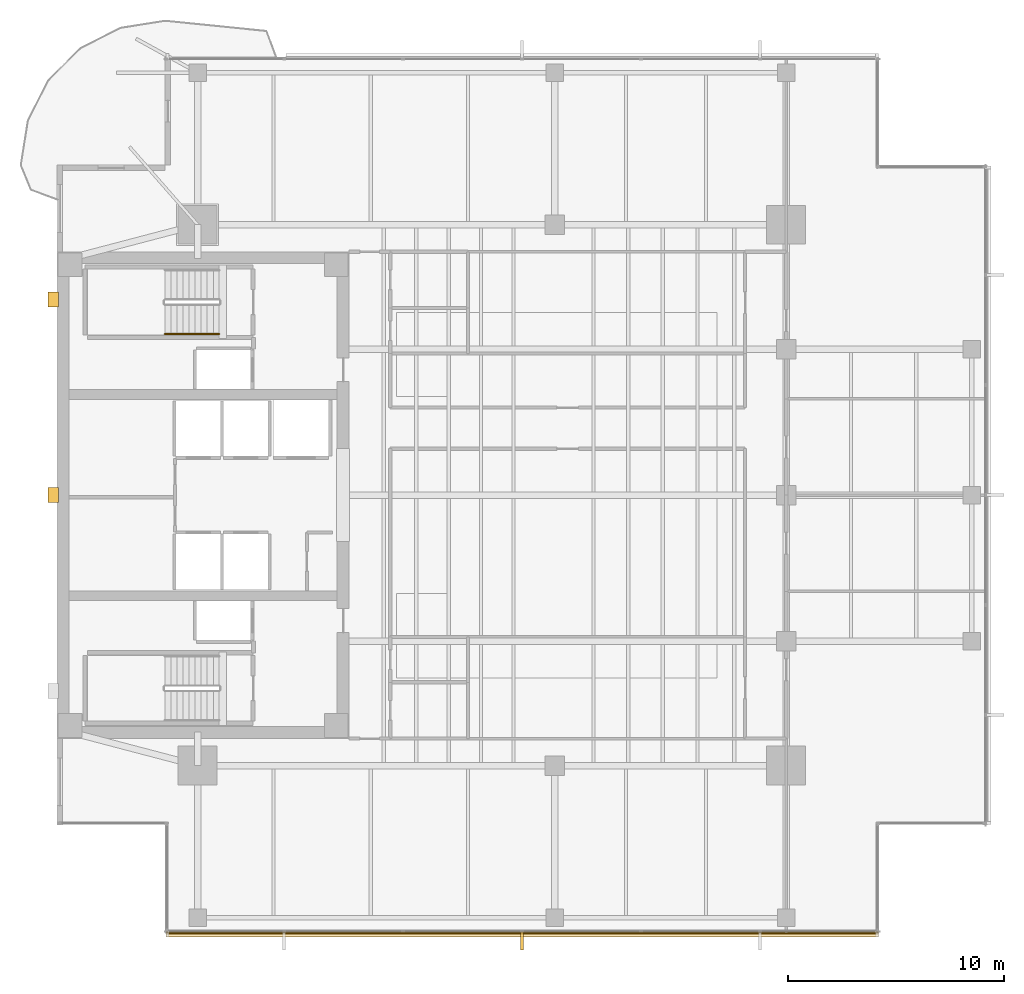
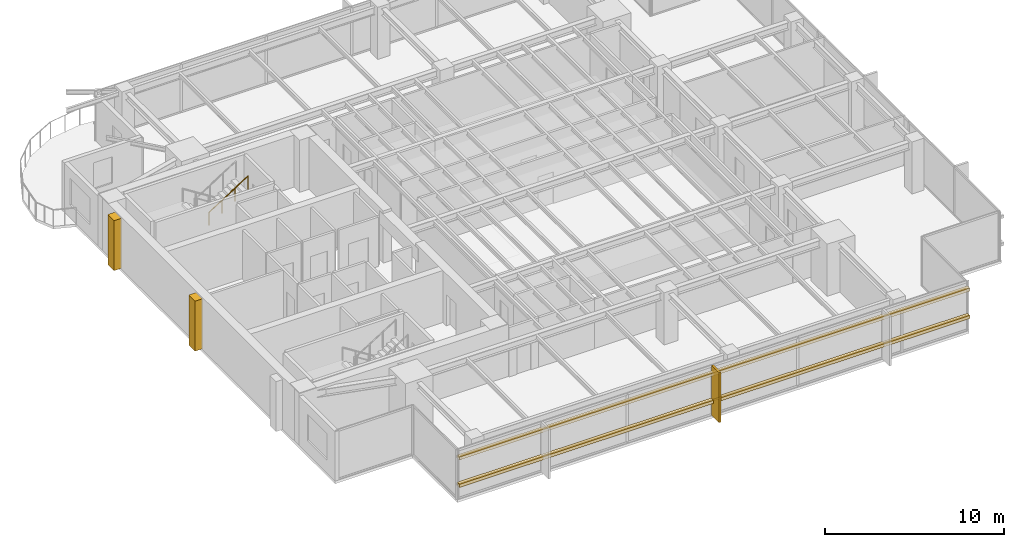
# One storey, part 12 of 14: 5 coverings, 2 shading devices, 1 railing.
"""IFC4 building model written with IfcOpenShell, lengths in metres."""

from ifc_helpers import new_model, si_unit, direction, frame, origin, origin_2d, place, context, subcontext, project, spatial, polyline, rectangle, circle, outline, extrude, material, layer, layer_set, material_profile, profile_set, type_object, element, save


model = new_model("IFC4")

# Units and contexts
model_context = context("Model", 3, precision=1e-05, world=origin(), true_north=direction((0.0, 1.0)))
body_context = subcontext(model_context, "Body", "Model", "MODEL_VIEW")
ifc_project = project(units=[si_unit("LENGTHUNIT", "METRE"), si_unit("AREAUNIT", "SQUARE_METRE"), si_unit("VOLUMEUNIT", "CUBIC_METRE"), si_unit("PLANEANGLEUNIT", "RADIAN"), si_unit("MASSUNIT", "GRAM", prefix="KILO")], contexts=[model_context])

# Site, building, storey
site_placement = place(None, origin())
site = spatial("IfcSite", under=ifc_project, at=site_placement, CompositionType="ELEMENT")
building_placement = place(site_placement, origin())
building = spatial("IfcBuilding", under=site, at=building_placement, Name="Kinhvarn Gate Tower", CompositionType="ELEMENT")
storey_placement = place(building_placement, frame((0.0, 0.0, 209.35009765625)))
storey = spatial("IfcBuildingStorey", under=building, at=storey_placement, Name="L55", CompositionType="ELEMENT", Elevation=209.35009765625)

# Coverings
ifc_material_1 = material(Name="Fired architectural terracotta", Category="masonry")
ifc_layer_1 = layer(ifc_material_1, 0.239990234375)
ifc_layer_set_1 = layer_set([ifc_layer_1], Name="Fired architectural terracotta")
covering_type_1 = type_object("IfcCoveringType", Name="COV-BAG-220", PredefinedType="CLADDING", material=ifc_layer_set_1)
for number, where, name in (
    (1, (0.0, 0.0, 0.93994140625), "Terracotta Horizontal Sunscreen Band TBG-220 (L55)"),
    (2, (0.0, 0.0, 2.809814453125), "Terracotta Horizontal Sunscreen Band TBG-220 (L55)"),
):
    element("IfcCovering", number, at=place(storey_placement, frame(where)), inside=storey, type_object=covering_type_1, Name=name, PredefinedType="CLADDING", context=body_context, shape_type="SweptSolid", body=[
        extrude(outline(polyline([(9.5400390625, 5.070068359375), (42.4599609375, 5.070068359375), (42.4599609375, 4.830078125), (9.5400390625, 4.830078125), (9.5400390625, 5.070068359375)])), origin(), (0.0, 0.0, 1.0), 0.219970703125),
    ])
ifc_layer_2 = layer(ifc_material_1, 0.139892578125)
ifc_layer_set_2 = layer_set([ifc_layer_2], Name="Fired architectural terracotta")
covering_type_2 = type_object("IfcCoveringType", Name="COV-FIN-850", PredefinedType="CLADDING", material=ifc_layer_set_2)
covering_1_placement = place(storey_placement, frame((0.0, 0.0, -0.02001953125)))
element("IfcCovering", 3, at=covering_1_placement, inside=storey, type_object=covering_type_2, Name="Vertical Terracotta Expressive Fin TFN-850 (L55)", PredefinedType="CLADDING", context=body_context, shape_type="SweptSolid", body=[
    extrude(outline(polyline([(25.929931640625, 5.080078125), (26.070068359375, 5.080078125), (26.070068359375, 4.22998046875), (25.929931640625, 4.22998046875), (25.929931640625, 5.080078125)])), origin(), (0.0, 0.0, 1.0), 3.409912109375),
])
ifc_material_2 = material(Name="Precast white architectural concrete C40/50", Category="concrete")
ifc_layer_3 = layer(ifc_material_2, 0.47998046875)
ifc_layer_set_3 = layer_set([ifc_layer_3], Name="Precast white architectural concrete C40/50")
covering_type_3 = type_object("IfcCoveringType", Name="COV-RIB-450", PredefinedType="CLADDING", material=ifc_layer_set_3)
covering_2_placement = place(storey_placement, frame((0.0, 0.0, -0.02001953125)))
element("IfcCovering", 4, at=covering_2_placement, inside=storey, type_object=covering_type_3, Name="West Core Sculptural Concrete Relief Rib CRB-450 (L55)", PredefinedType="CLADDING", context=body_context, shape_type="SweptSolid", body=[
    extrude(outline(polyline([(4.080078125, 24.89990234375), (4.56005859375, 24.89990234375), (4.56005859375, 25.60009765625), (4.080078125, 25.60009765625), (4.080078125, 24.89990234375)])), origin(), (0.0, 0.0, 1.0), 3.409912109375),
])
covering_3_placement = place(storey_placement, frame((0.0, 0.0, -0.02001953125)))
element("IfcCovering", 5, at=covering_3_placement, inside=storey, type_object=covering_type_3, Name="West Core Sculptural Concrete Relief Rib CRB-450 (L55)", PredefinedType="CLADDING", context=body_context, shape_type="SweptSolid", body=[
    extrude(outline(polyline([(4.080078125, 33.949951171875), (4.56005859375, 33.949951171875), (4.56005859375, 34.64990234375), (4.080078125, 34.64990234375), (4.080078125, 33.949951171875)])), origin(), (0.0, 0.0, 1.0), 3.409912109375),
])

# Railing
ifc_material_3 = material(Name="Steel S355", Category="steel")
railing_type = type_object("IfcRailingType", Name="RL-ST-HND", PredefinedType="HANDRAIL", material=ifc_material_3)
railing_placement = place(storey_placement, frame((9.47998046875, 32.699951171875, 1.952392578125)))
element("IfcRailing", 6, at=railing_placement, inside=storey, type_object=railing_type, Name="L55 ST2 stair handrail 2", PredefinedType="HANDRAIL", context=body_context, shape_type="SweptSolid", body=[
    extrude(circle(Radius=0.02392578125, at=origin_2d()), frame((0.0, 0.0, 0.8759765625), z_axis=(0.84460694969, 0.0, 0.535386869969), x_axis=(0.0, 1.0, 0.0)), (0.0, 0.0, 1.0), 2.983642578125),
    extrude(circle(Radius=0.02099609375, at=origin_2d()), origin(), (0.0, 0.0, 1.0), 0.851806640625),
    extrude(circle(Radius=0.02099609375, at=origin_2d()), frame((0.840087890625, 0.0, 0.532470703125)), (0.0, 0.0, 1.0), 0.851806640625),
    extrude(circle(Radius=0.02099609375, at=origin_2d()), frame((1.679931640625, 0.0, 1.06494140625)), (0.0, 0.0, 1.0), 0.851806640625),
    extrude(circle(Radius=0.02099609375, at=origin_2d()), frame((2.52001953125, 0.0, 1.597412109375)), (0.0, 0.0, 1.0), 0.851806640625),
])

# Shading devices
ifc_material_profile = material_profile(ifc_material_1, rectangle(XDim=0.050048828125, YDim=0.1201171875, at=origin_2d()), Name="TC 50x120")
ifc_profile_set = profile_set([ifc_material_profile], Name="Fired architectural terracotta")
shading_device_type = type_object("IfcShadingDeviceType", Name="SHD-BAG-140", PredefinedType="USERDEFINED", material=ifc_profile_set)
for number, where, z_axis, x_axis, name in (
    (7, (9.5400390625, 5.0, 1.0498046875), (1.0, 0.0, 0.0), (0.0, 1.0, 0.0), "Upper Tower Terracotta Baguette Screen Rod 50x120 mm (L55)"),
    (8, (9.5400390625, 5.0, 2.919921875), (1.0, 0.0, 0.0), (0.0, 1.0, 0.0), "Upper Tower Terracotta Baguette Screen Rod 50x120 mm (L55)"),
):
    element("IfcShadingDevice", number, at=place(storey_placement, frame(where, z_axis=z_axis, x_axis=x_axis)), inside=storey, type_object=shading_device_type, Name=name, ObjectType="BAGUETTE", PredefinedType="USERDEFINED", context=body_context, shape_type="SweptSolid", body=[
        extrude(rectangle(XDim=0.050048828125, YDim=0.1201171875, at=origin_2d()), origin(), (0.0, 0.0, 1.0), 32.919921875),
    ])

save(model, "model.ifc")
